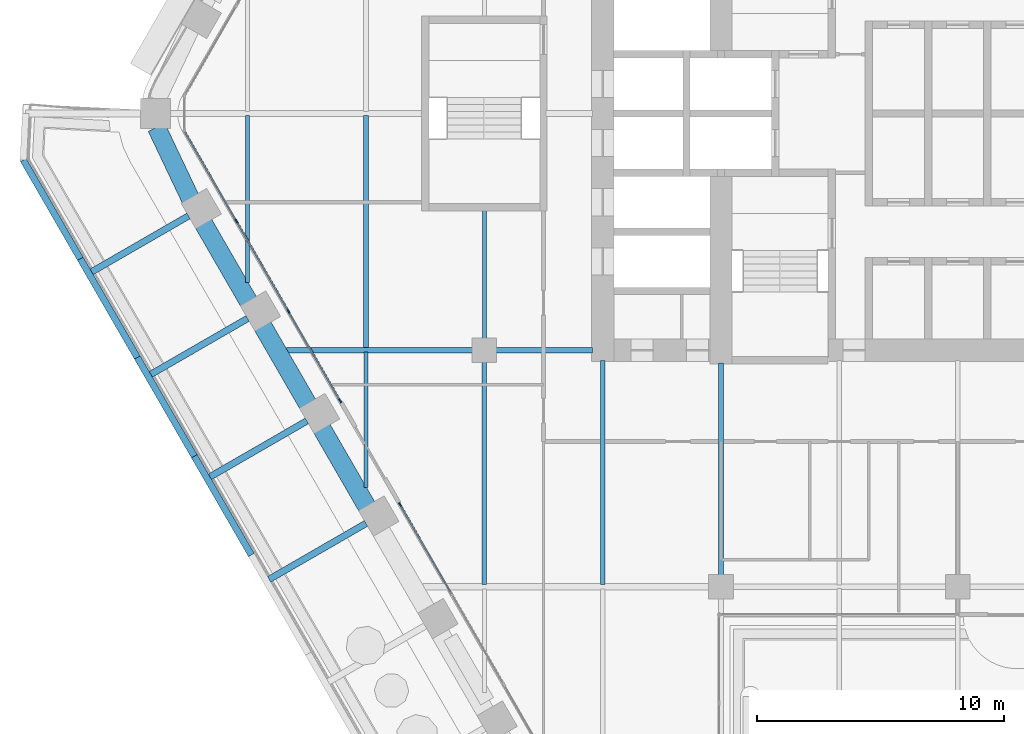
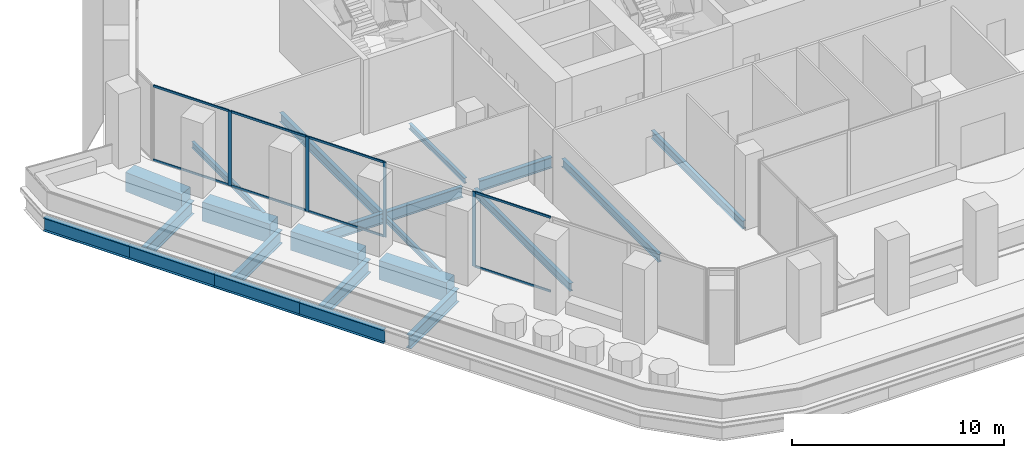
# One storey, part 3 of 27: 21 beams, 12 members, 2 elements without a shape of their own.
"""IFC4 building model written with IfcOpenShell, lengths in metres."""

from ifc_helpers import new_model, si_unit, direction, frame, origin, origin_2d, place, context, subcontext, project, spatial, rectangle, i_section, extrude, material, material_profile, profile_set, type_object, element, aggregate, save


model = new_model("IFC4")

# Units and contexts
model_context = context("Model", 3, precision=1e-05, world=origin(), true_north=direction((0.0, 1.0)))
body_context = subcontext(model_context, "Body", "Model", "MODEL_VIEW")
ifc_project = project(units=[si_unit("LENGTHUNIT", "METRE"), si_unit("AREAUNIT", "SQUARE_METRE"), si_unit("VOLUMEUNIT", "CUBIC_METRE"), si_unit("PLANEANGLEUNIT", "RADIAN"), si_unit("MASSUNIT", "GRAM", prefix="KILO")], contexts=[model_context])

# Site, building, storey
site_placement = place(None, origin())
site = spatial("IfcSite", under=ifc_project, at=site_placement, CompositionType="ELEMENT")
building_placement = place(site_placement, origin())
building = spatial("IfcBuilding", under=site, at=building_placement, Name="Kolab Exchange Tower", CompositionType="ELEMENT")
storey_placement = place(building_placement, frame((0.0, 0.0, 109.39990234375)))
storey = spatial("IfcBuildingStorey", under=building, at=storey_placement, Name="L21", CompositionType="ELEMENT", Elevation=109.39990234375)

# Beams
ifc_material_1 = material(Name="Steel S355", Category="steel")
ifc_material_profile_1 = material_profile(ifc_material_1, i_section(OverallWidth=0.1650390625, OverallDepth=0.31005859375, WebThickness=0.005859375, FlangeThickness=0.009765625, at=origin_2d()), Name="W310X39")
ifc_profile_set_1 = profile_set([ifc_material_profile_1], Name="Steel S355")
beam_type_1 = type_object("IfcBeamType", Name="FLOOR BEAM W310X39", PredefinedType="BEAM", material=ifc_profile_set_1)
beam_1_placement = place(storey_placement, frame((-24.0, -15.167724609375, -0.35498046875), z_axis=(0.0, 1.0, 0.0), x_axis=(-1.0, 0.0, 0.0)))
element("IfcBeam", 1, at=beam_1_placement, inside=storey, type_object=beam_type_1, Name="beam/L21/fr/002", PredefinedType="BEAM", context=body_context, shape_type="SweptSolid", body=[
    extrude(i_section(OverallWidth=0.1650390625, OverallDepth=0.31005859375, WebThickness=0.005859375, FlangeThickness=0.009765625, at=origin_2d()), origin(), (0.0, 0.0, 1.0), 5.49365234375),
])
beam_2_placement = place(storey_placement, frame((-19.199951171875, -9.139892578125, -0.35498046875), z_axis=(0.0, 1.0, 0.0), x_axis=(-1.0, 0.0, 0.0)))
element("IfcBeam", 2, at=beam_2_placement, inside=storey, type_object=beam_type_1, Name="beam/L21/fr/008", PredefinedType="BEAM", context=body_context, shape_type="SweptSolid", body=[
    extrude(i_section(OverallWidth=0.1650390625, OverallDepth=0.31005859375, WebThickness=0.005859375, FlangeThickness=0.009765625, at=origin_2d()), origin(), (0.0, 0.0, 1.0), 5.22998046875),
])
ifc_material_profile_2 = material_profile(ifc_material_1, i_section(OverallWidth=0.1708984375, OverallDepth=0.35498046875, WebThickness=0.007080078125, FlangeThickness=0.01171875, at=origin_2d()), Name="W360X51")
ifc_profile_set_2 = profile_set([ifc_material_profile_2], Name="Steel S355")
beam_type_2 = type_object("IfcBeamType", Name="FLOOR BEAM W360X51", PredefinedType="BEAM", material=ifc_profile_set_2)
beam_3_placement = place(storey_placement, frame((-28.800048828125, -6.853759765625, -0.37744140625), z_axis=(0.0, 1.0, 0.0), x_axis=(-1.0, 0.0, 0.0)))
element("IfcBeam", 3, at=beam_3_placement, inside=storey, type_object=beam_type_2, Name="beam/L21/fr/000", PredefinedType="BEAM", context=body_context, shape_type="SweptSolid", body=[
    extrude(i_section(OverallWidth=0.1708984375, OverallDepth=0.35498046875, WebThickness=0.007080078125, FlangeThickness=0.01171875, at=origin_2d()), origin(), (0.0, 0.0, 1.0), 6.766845703125),
])
ifc_material_profile_3 = material_profile(ifc_material_1, i_section(OverallWidth=0.18994140625, OverallDepth=0.45703125, WebThickness=0.009033203125, FlangeThickness=0.014404296875, at=origin_2d()), Name="W460X74")
ifc_profile_set_3 = profile_set([ifc_material_profile_3], Name="Steel S355")
beam_type_3 = type_object("IfcBeamType", Name="FLOOR BEAM W460X74", PredefinedType="BEAM", material=ifc_profile_set_3)
beam_4_placement = place(storey_placement, frame((-19.199951171875, -19.1064453125, -0.428466796875), z_axis=(0.0, 1.0, 0.0), x_axis=(-1.0, 0.0, 0.0)))
element("IfcBeam", 4, at=beam_4_placement, inside=storey, type_object=beam_type_3, Name="beam/L21/fr/007", PredefinedType="BEAM", context=body_context, shape_type="SweptSolid", body=[
    extrude(i_section(OverallWidth=0.18994140625, OverallDepth=0.45703125, WebThickness=0.009033203125, FlangeThickness=0.014404296875, at=origin_2d()), origin(), (0.0, 0.0, 1.0), 9.04638671875),
])
beam_5_placement = place(storey_placement, frame((-14.39990234375, -19.1064453125, -0.428466796875), z_axis=(0.0, 1.0, 0.0), x_axis=(-1.0, 0.0, 0.0)))
element("IfcBeam", 5, at=beam_5_placement, inside=storey, type_object=beam_type_3, Name="beam/L21/fr/013", PredefinedType="BEAM", context=body_context, shape_type="SweptSolid", body=[
    extrude(i_section(OverallWidth=0.18994140625, OverallDepth=0.45703125, WebThickness=0.009033203125, FlangeThickness=0.014404296875, at=origin_2d()), origin(), (0.0, 0.0, 1.0), 9.096435546875),
])
beam_6_placement = place(storey_placement, frame((-9.60009765625, -18.739990234375, -0.428466796875), z_axis=(0.0, 1.0, 0.0), x_axis=(-1.0, 0.0, 0.0)))
element("IfcBeam", 6, at=beam_6_placement, inside=storey, type_object=beam_type_3, Name="beam/L21/fr/017", PredefinedType="BEAM", context=body_context, shape_type="SweptSolid", body=[
    extrude(i_section(OverallWidth=0.18994140625, OverallDepth=0.45703125, WebThickness=0.009033203125, FlangeThickness=0.014404296875, at=origin_2d()), origin(), (0.0, 0.0, 1.0), 8.6298828125),
])
ifc_material_profile_4 = material_profile(ifc_material_1, i_section(OverallWidth=0.208984375, OverallDepth=0.532958984375, WebThickness=0.01025390625, FlangeThickness=0.015625, at=origin_2d()), Name="W530X92")
ifc_profile_set_4 = profile_set([ifc_material_profile_4], Name="Steel S355")
beam_type_4 = type_object("IfcBeamType", Name="FLOOR BEAM W530X92", PredefinedType="BEAM", material=ifc_profile_set_4)
beam_7_placement = place(storey_placement, frame((-24.0, -9.52587890625, -0.46630859375), z_axis=(0.0, 1.0, 0.0), x_axis=(-1.0, 0.0, 0.0)))
element("IfcBeam", 7, at=beam_7_placement, inside=storey, type_object=beam_type_4, Name="beam/L21/fr/003", PredefinedType="BEAM", context=body_context, shape_type="SweptSolid", body=[
    extrude(i_section(OverallWidth=0.208984375, OverallDepth=0.532958984375, WebThickness=0.01025390625, FlangeThickness=0.015625, at=origin_2d()), origin(), (0.0, 0.0, 1.0), 9.43896484375),
])
ifc_material_profile_5 = material_profile(ifc_material_1, i_section(OverallWidth=0.22802734375, OverallDepth=0.60791015625, WebThickness=0.01123046875, FlangeThickness=0.017333984375, at=origin_2d()), Name="W610X113")
ifc_profile_set_5 = profile_set([ifc_material_profile_5], Name="Steel S355")
beam_type_5 = type_object("IfcBeamType", Name="FLOOR GIRDER W610X113", PredefinedType="BEAM", material=ifc_profile_set_5)
beam_8_placement = place(storey_placement, frame((-27.2314453125, -9.60009765625, -0.50390625), z_axis=(1.0, 0.0, 0.0), x_axis=(0.0, 1.0, 0.0)))
element("IfcBeam", 8, at=beam_8_placement, inside=storey, type_object=beam_type_5, Name="beam/L21/gd/001", PredefinedType="BEAM", context=body_context, shape_type="SweptSolid", body=[
    extrude(i_section(OverallWidth=0.22802734375, OverallDepth=0.60791015625, WebThickness=0.01123046875, FlangeThickness=0.017333984375, at=origin_2d()), origin(), (0.0, 0.0, 1.0), 7.571533203125),
])
beam_9_placement = place(storey_placement, frame((-18.739990234375, -9.60009765625, -0.50390625), z_axis=(1.0, 0.0, 0.0), x_axis=(0.0, 1.0, 0.0)))
element("IfcBeam", 9, at=beam_9_placement, inside=storey, type_object=beam_type_5, Name="beam/L21/gd/005", PredefinedType="BEAM", context=body_context, shape_type="SweptSolid", body=[
    extrude(i_section(OverallWidth=0.22802734375, OverallDepth=0.60791015625, WebThickness=0.01123046875, FlangeThickness=0.017333984375, at=origin_2d()), origin(), (0.0, 0.0, 1.0), 3.929931640625),
])
ifc_material_profile_6 = material_profile(ifc_material_1, i_section(OverallWidth=0.26708984375, OverallDepth=0.761962890625, WebThickness=0.014404296875, FlangeThickness=0.021484375, at=origin_2d()), Name="W760X173")
ifc_profile_set_6 = profile_set([ifc_material_profile_6], Name="Steel S355")
beam_type_6 = type_object("IfcBeamType", Name="FLOOR GIRDER W760X173", PredefinedType="BEAM", material=ifc_profile_set_6)
for number, where, z_axis, x_axis, name in (
    (10, (-24.0, -16.627685546875, -0.640869140625), (-0.866020560687, -0.500008388397, 0.0), (0.500008388397, -0.866020560687, 0.0), "beam/L21/ledge/rib-10"),
    (11, (-26.39990234375, -12.470703125, -0.640869140625), (-0.866020560687, -0.500008388397, 0.0), (0.500008388397, -0.866020560687, 0.0), "beam/L21/ledge/rib-11"),
):
    element("IfcBeam", number, at=place(storey_placement, frame(where, z_axis=z_axis, x_axis=x_axis)), inside=storey, type_object=beam_type_6, Name=name, PredefinedType="BEAM", context=body_context, shape_type="SweptSolid", body=[
        extrude(i_section(OverallWidth=0.26708984375, OverallDepth=0.761962890625, WebThickness=0.014404296875, FlangeThickness=0.021484375, at=origin_2d()), origin(), (0.0, 0.0, 1.0), 4.533203125),
    ])
for number, where, z_axis, x_axis, name in (
    (12, (-28.800048828125, -8.313720703125, -0.640869140625), (-0.866007095043, -0.500031710329, 0.0), (0.500031710329, -0.866007095043, 0.0), "beam/L21/ledge/rib-12"),
    (13, (-31.199951171875, -4.156982421875, -0.640869140625), (-0.866043881399, -0.499967994467, 0.0), (0.499967994467, -0.866043881399, 0.0), "beam/L21/ledge/rib-13"),
):
    element("IfcBeam", number, at=place(storey_placement, frame(where, z_axis=z_axis, x_axis=x_axis)), inside=storey, type_object=beam_type_6, Name=name, PredefinedType="BEAM", context=body_context, shape_type="SweptSolid", body=[
        extrude(i_section(OverallWidth=0.26708984375, OverallDepth=0.761962890625, WebThickness=0.014404296875, FlangeThickness=0.021484375, at=origin_2d()), origin(), (0.0, 0.0, 1.0), 4.532958984375),
    ])
beam_10_placement = place(storey_placement, frame((-28.65087890625, -17.9052734375, -0.640869140625), z_axis=(-0.499978438088, 0.866037852202, 0.0), x_axis=(-0.866037852202, -0.499978438088, 0.0)))
element("IfcBeam", 14, at=beam_10_placement, inside=storey, type_object=beam_type_6, Name="beam/L21/ledge/edge-13", PredefinedType="BEAM", context=body_context, shape_type="SweptSolid", body=[
    extrude(i_section(OverallWidth=0.26708984375, OverallDepth=0.761962890625, WebThickness=0.014404296875, FlangeThickness=0.021484375, at=origin_2d()), origin(), (0.0, 0.0, 1.0), 4.623291015625),
])
beam_11_placement = place(storey_placement, frame((-30.96240234375, -13.9013671875, -0.640869140625), z_axis=(-0.500001304485, 0.866024650639, 0.0), x_axis=(-0.866024650639, -0.500001304485, 0.0)))
element("IfcBeam", 15, at=beam_11_placement, inside=storey, type_object=beam_type_6, Name="beam/L21/ledge/edge-14", PredefinedType="BEAM", context=body_context, shape_type="SweptSolid", body=[
    extrude(i_section(OverallWidth=0.26708984375, OverallDepth=0.761962890625, WebThickness=0.014404296875, FlangeThickness=0.021484375, at=origin_2d()), origin(), (0.0, 0.0, 1.0), 4.623046875),
])
for number, where, z_axis, x_axis, name in (
    (16, (-33.27392578125, -9.897705078125, -0.640869140625), (-0.500018043048, 0.866014986375, 0.0), (-0.866014986375, -0.500018043048, 0.0), "beam/L21/ledge/edge-15"),
    (17, (-35.585693359375, -5.893798828125, -0.640869140625), (-0.499978438088, 0.866037852202, 0.0), (-0.866037852202, -0.499978438088, 0.0), "beam/L21/ledge/edge-16"),
):
    element("IfcBeam", number, at=place(storey_placement, frame(where, z_axis=z_axis, x_axis=x_axis)), inside=storey, type_object=beam_type_6, Name=name, PredefinedType="BEAM", context=body_context, shape_type="SweptSolid", body=[
        extrude(i_section(OverallWidth=0.26708984375, OverallDepth=0.761962890625, WebThickness=0.014404296875, FlangeThickness=0.021484375, at=origin_2d()), origin(), (0.0, 0.0, 1.0), 4.623291015625),
    ])
ifc_material_2 = material(Name="Concrete C70/85", Category="concrete")
ifc_material_profile_7 = material_profile(ifc_material_2, rectangle(XDim=0.75, YDim=1.10009765625, at=origin_2d()), Name="RC750X1100")
ifc_profile_set_7 = profile_set([ifc_material_profile_7], Name="Concrete C70/85")
beam_type_7 = type_object("IfcBeamType", Name="SPANDREL BEAM 750X1100 C70/85", PredefinedType="BEAM", material=ifc_profile_set_7)
beam_12_placement = place(storey_placement, frame((-23.955322265625, -15.955322265625, -0.75), z_axis=(-0.499963655964, 0.866046386007, 0.0), x_axis=(-0.866046386007, -0.499963655964, 0.0)))
element("IfcBeam", 18, at=beam_12_placement, inside=storey, type_object=beam_type_7, Name="beam/L21/sp/F5-04", PredefinedType="BEAM", context=body_context, shape_type="SweptSolid", body=[
    extrude(rectangle(XDim=0.75, YDim=1.10009765625, at=origin_2d()), origin(), (0.0, 0.0, 1.0), 3.679931640625),
])
for number, where, z_axis, x_axis, name in (
    (19, (-26.355224609375, -11.79833984375, -0.75), (-0.500013413428, 0.866017659399, 0.0), (-0.866017659399, -0.500013413428, 0.0), "beam/L21/sp/F5-05"),
    (20, (-28.755126953125, -7.641357421875, -0.75), (-0.500013413428, 0.866017659399, 0.0), (-0.866017659399, -0.500013413428, 0.0), "beam/L21/sp/F5-06"),
):
    element("IfcBeam", number, at=place(storey_placement, frame(where, z_axis=z_axis, x_axis=x_axis)), inside=storey, type_object=beam_type_7, Name=name, PredefinedType="BEAM", context=body_context, shape_type="SweptSolid", body=[
        extrude(rectangle(XDim=0.75, YDim=1.10009765625, at=origin_2d()), origin(), (0.0, 0.0, 1.0), 3.68017578125),
    ])
beam_13_placement = place(storey_placement, frame((-31.116455078125, -3.4619140625, -0.75), z_axis=(-0.429041292193, 0.903284877319, 0.0), x_axis=(-0.903284877319, -0.429041292193, 0.0)))
element("IfcBeam", 21, at=beam_13_placement, inside=storey, type_object=beam_type_7, Name="beam/L21/sp/F5-07", PredefinedType="BEAM", context=body_context, shape_type="SweptSolid", body=[
    extrude(rectangle(XDim=0.75, YDim=1.10009765625, at=origin_2d()), origin(), (0.0, 0.0, 1.0), 3.208251953125),
])

# Curtain wall, member
ifc_material_3 = material(Name="Aluminium EN AW-6063 T6", Category="aluminium")
curtain_wall_type = type_object("IfcCurtainWallType", Name="UNITISED LOWER MID ZONE CURTAIN WALL", PredefinedType="NOTDEFINED", material=ifc_material_3)
curtain_wall_1_placement = place(storey_placement, origin())
curtain_wall_1 = element("IfcCurtainWall", 22, at=curtain_wall_1_placement, inside=storey, type_object=curtain_wall_type, Name="cw/L21/F5-1", PredefinedType="NOTDEFINED")
ifc_material_profile_8 = material_profile(ifc_material_3, rectangle(XDim=0.06005859375, YDim=0.179931640625, at=origin_2d()), Name="RECT 60X180")
ifc_profile_set_8 = profile_set([ifc_material_profile_8], Name="Aluminium EN AW-6063 T6")
member_type_1 = type_object("IfcMemberType", Name="UNITISED LOWER MID ZONE MULLION 60 X 180", PredefinedType="MULLION", material=ifc_profile_set_8)
member_1_placement = place(storey_placement, frame((-22.61669921875, -15.86376953125, 0.0), z_axis=(0.0, 0.0, 1.0), x_axis=(-0.866025393644, -0.500000017564, 0.0)))
member_1 = element("IfcMember", 23, at=member_1_placement, type_object=member_type_1, Name="CW2 mullion 4", PredefinedType="MULLION", context=body_context, shape_type="SweptSolid", body=[
    extrude(rectangle(XDim=0.06005859375, YDim=0.179931640625, at=origin_2d()), origin(), (0.0, 0.0, 1.0), 4.300048828125),
])

# Curtain wall, members
curtain_wall_2_placement = place(storey_placement, origin())
curtain_wall_2 = element("IfcCurtainWall", 24, at=curtain_wall_2_placement, inside=storey, type_object=curtain_wall_type, Name="cw/L21/F5-2", PredefinedType="NOTDEFINED")
member_2_placement = place(storey_placement, frame((-25.046630859375, -11.65478515625, 0.0), z_axis=(0.0, 0.0, 1.0), x_axis=(-0.866025427826, -0.499999958358, 0.0)))
member_2 = element("IfcMember", 25, at=member_2_placement, type_object=member_type_1, Name="CW2 mullion 1", PredefinedType="MULLION", context=body_context, shape_type="SweptSolid", body=[
    extrude(rectangle(XDim=0.06005859375, YDim=0.179931640625, at=origin_2d()), origin(), (0.0, 0.0, 1.0), 4.300048828125),
])
member_3_placement = place(storey_placement, frame((-27.14306640625, -8.02392578125, 0.0), z_axis=(0.0, 0.0, 1.0), x_axis=(-0.866025427826, -0.499999958358, 0.0)))
member_3 = element("IfcMember", 26, at=member_3_placement, type_object=member_type_1, Name="CW2 mullion 2", PredefinedType="MULLION", context=body_context, shape_type="SweptSolid", body=[
    extrude(rectangle(XDim=0.06005859375, YDim=0.179931640625, at=origin_2d()), origin(), (0.0, 0.0, 1.0), 4.300048828125),
])
member_4_placement = place(storey_placement, frame((-29.25439453125, -4.366943359375, 0.0), z_axis=(0.0, 0.0, 1.0), x_axis=(-0.866025427826, -0.499999958358, 0.0)))
member_4 = element("IfcMember", 27, at=member_4_placement, type_object=member_type_1, Name="CW2 mullion 3", PredefinedType="MULLION", context=body_context, shape_type="SweptSolid", body=[
    extrude(rectangle(XDim=0.06005859375, YDim=0.179931640625, at=origin_2d()), origin(), (0.0, 0.0, 1.0), 4.300048828125),
])

# Member
ifc_material_profile_9 = material_profile(ifc_material_3, rectangle(XDim=0.06005859375, YDim=0.1201171875, at=origin_2d()), Name="RECT 60X120")
ifc_profile_set_9 = profile_set([ifc_material_profile_9], Name="Aluminium EN AW-6063 T6")
member_type_2 = type_object("IfcMemberType", Name="UNITISED LOWER MID ZONE TRANSOM 60 X 120", PredefinedType="USERDEFINED", material=ifc_profile_set_9)
member_5_placement = place(storey_placement, frame((-20.535400390625, -19.46875, 0.030029296875), z_axis=(-0.499957688808, 0.866049830784, 0.0), x_axis=(-0.866049830784, -0.499957688808, 0.0)))
member_5 = element("IfcMember", 28, at=member_5_placement, type_object=member_type_2, Name="CW2 transom 3.1", ObjectType="TRANSOM", PredefinedType="USERDEFINED", context=body_context, shape_type="SweptSolid", body=[
    extrude(rectangle(XDim=0.06005859375, YDim=0.1201171875, at=origin_2d()), origin(), (0.0, 0.0, 1.0), 4.132568359375),
])

member_6_placement = place(storey_placement, frame((-20.535400390625, -19.46875, 4.27001953125), z_axis=(-0.499957688808, 0.866049830784, 0.0), x_axis=(-0.866049830784, -0.499957688808, 0.0)))
member_6 = element("IfcMember", 29, at=member_6_placement, type_object=member_type_2, Name="CW2 transom 3.2", ObjectType="TRANSOM", PredefinedType="USERDEFINED", context=body_context, shape_type="SweptSolid", body=[
    extrude(rectangle(XDim=0.06005859375, YDim=0.1201171875, at=origin_2d()), origin(), (0.0, 0.0, 1.0), 4.132568359375),
])

aggregate(curtain_wall_1, [member_1, member_5, member_6])

member_7_placement = place(storey_placement, frame((-25.061767578125, -11.62890625, 0.030029296875), z_axis=(-0.499957688808, 0.866049830784, 0.0), x_axis=(-0.866049830784, -0.499957688808, 0.0)))
member_7 = element("IfcMember", 30, at=member_7_placement, type_object=member_type_2, Name="CW2 transom 1.1", ObjectType="TRANSOM", PredefinedType="USERDEFINED", context=body_context, shape_type="SweptSolid", body=[
    extrude(rectangle(XDim=0.06005859375, YDim=0.1201171875, at=origin_2d()), origin(), (0.0, 0.0, 1.0), 4.132568359375),
])

member_8_placement = place(storey_placement, frame((-25.061767578125, -11.62890625, 4.27001953125), z_axis=(-0.499957688808, 0.866049830784, 0.0), x_axis=(-0.866049830784, -0.499957688808, 0.0)))
member_8 = element("IfcMember", 31, at=member_8_placement, type_object=member_type_2, Name="CW2 transom 1.2", ObjectType="TRANSOM", PredefinedType="USERDEFINED", context=body_context, shape_type="SweptSolid", body=[
    extrude(rectangle(XDim=0.06005859375, YDim=0.1201171875, at=origin_2d()), origin(), (0.0, 0.0, 1.0), 4.132568359375),
])

member_9_placement = place(storey_placement, frame((-27.157958984375, -7.997802734375, 0.030029296875), z_axis=(-0.49999322259, 0.866029316688, 0.0), x_axis=(-0.866029316688, -0.49999322259, 0.0)))
member_9 = element("IfcMember", 32, at=member_9_placement, type_object=member_type_2, Name="CW2 transom 2.1", ObjectType="TRANSOM", PredefinedType="USERDEFINED", context=body_context, shape_type="SweptSolid", body=[
    extrude(rectangle(XDim=0.06005859375, YDim=0.1201171875, at=origin_2d()), origin(), (0.0, 0.0, 1.0), 4.16259765625),
])

member_10_placement = place(storey_placement, frame((-27.157958984375, -7.997802734375, 4.27001953125), z_axis=(-0.49999322259, 0.866029316688, 0.0), x_axis=(-0.866029316688, -0.49999322259, 0.0)))
member_10 = element("IfcMember", 33, at=member_10_placement, type_object=member_type_2, Name="CW2 transom 2.2", ObjectType="TRANSOM", PredefinedType="USERDEFINED", context=body_context, shape_type="SweptSolid", body=[
    extrude(rectangle(XDim=0.06005859375, YDim=0.1201171875, at=origin_2d()), origin(), (0.0, 0.0, 1.0), 4.16259765625),
])

member_11_placement = place(storey_placement, frame((-29.269287109375, -4.3408203125, 0.030029296875), z_axis=(-0.500027577057, 0.866009481578, 0.0), x_axis=(-0.866009481578, -0.500027577057, 0.0)))
member_11 = element("IfcMember", 34, at=member_11_placement, type_object=member_type_2, Name="CW2 transom 3.1", ObjectType="TRANSOM", PredefinedType="USERDEFINED", context=body_context, shape_type="SweptSolid", body=[
    extrude(rectangle(XDim=0.06005859375, YDim=0.1201171875, at=origin_2d()), origin(), (0.0, 0.0, 1.0), 4.132568359375),
])

member_12_placement = place(storey_placement, frame((-29.269287109375, -4.3408203125, 4.27001953125), z_axis=(-0.500027577057, 0.866009481578, 0.0), x_axis=(-0.866009481578, -0.500027577057, 0.0)))
member_12 = element("IfcMember", 35, at=member_12_placement, type_object=member_type_2, Name="CW2 transom 3.2", ObjectType="TRANSOM", PredefinedType="USERDEFINED", context=body_context, shape_type="SweptSolid", body=[
    extrude(rectangle(XDim=0.06005859375, YDim=0.1201171875, at=origin_2d()), origin(), (0.0, 0.0, 1.0), 4.132568359375),
])

aggregate(curtain_wall_2, [member_2, member_3, member_4, member_7, member_8, member_9, member_10, member_11, member_12])

save(model, "model.ifc")
